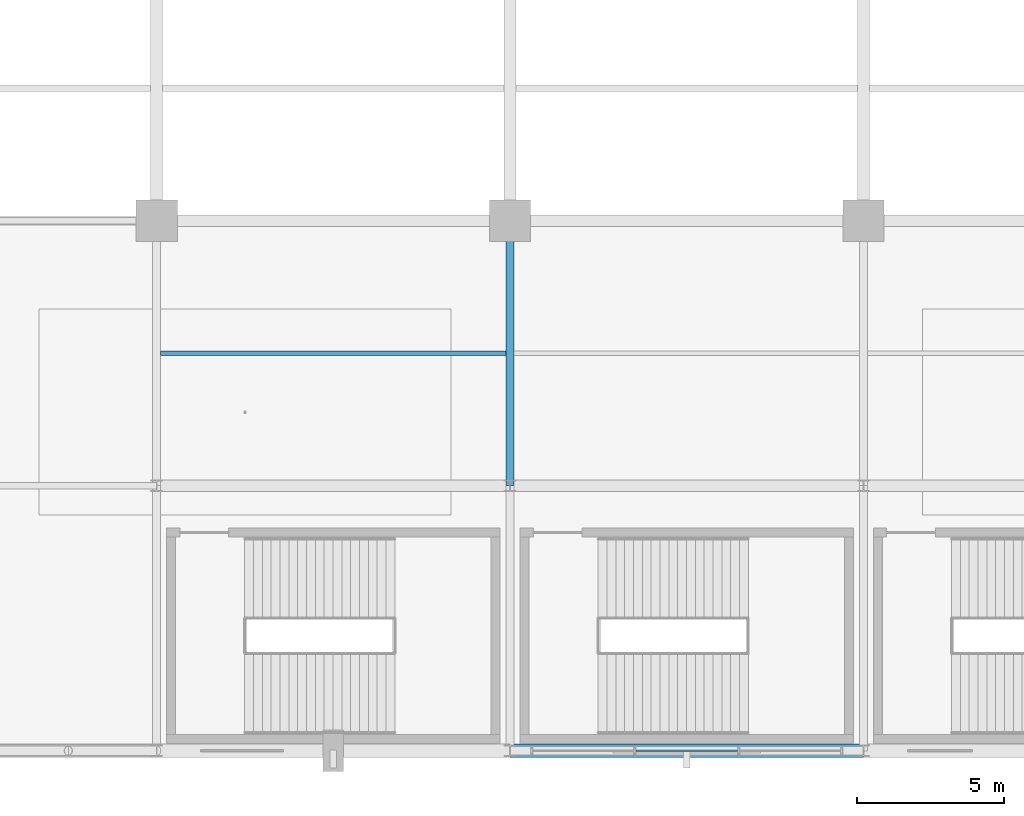
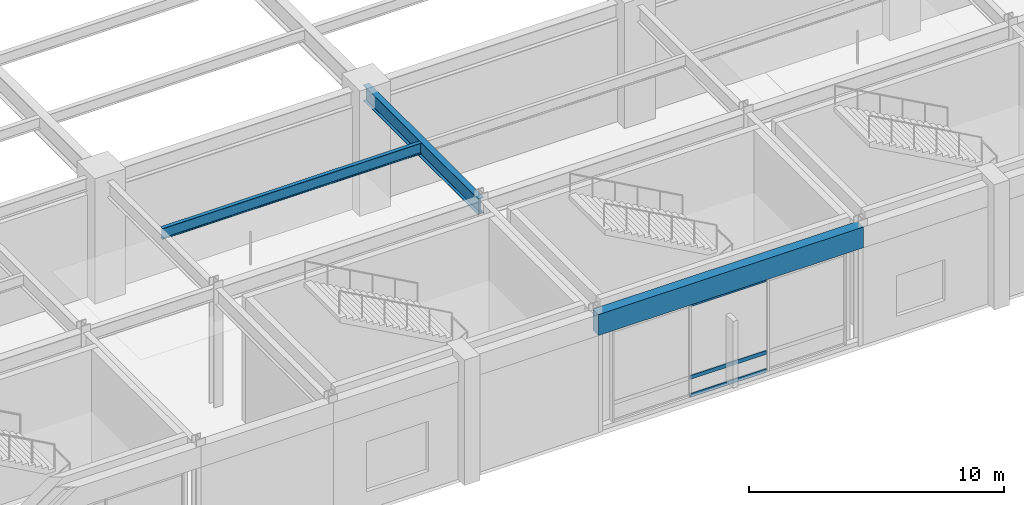
# One storey, part 19 of 105: 3 beams, 3 members, 1 element without a shape of its own.
"""IFC4 building model written with IfcOpenShell, lengths in metres."""

from ifc_helpers import new_model, si_unit, direction, frame, origin, origin_2d, place, context, subcontext, project, spatial, rectangle, hollow_rectangle, i_section, extrude, material, material_profile, profile_set, type_object, element, aggregate, save


model = new_model("IFC4")

# Units and contexts
model_context = context("Model", 3, precision=1e-05, world=origin(), true_north=direction((0.0, 1.0)))
body_context = subcontext(model_context, "Body", "Model", "MODEL_VIEW")
ifc_project = project(units=[si_unit("LENGTHUNIT", "METRE"), si_unit("AREAUNIT", "SQUARE_METRE"), si_unit("VOLUMEUNIT", "CUBIC_METRE"), si_unit("PLANEANGLEUNIT", "RADIAN"), si_unit("MASSUNIT", "GRAM", prefix="KILO")], contexts=[model_context])

# Site, building, storey
site_placement = place(None, origin())
site = spatial("IfcSite", under=ifc_project, at=site_placement, CompositionType="ELEMENT")
building_placement = place(site_placement, origin())
building = spatial("IfcBuilding", under=site, at=building_placement, Name="Kaldorvane Square Convention Centre", CompositionType="ELEMENT")
storey_placement = place(building_placement, frame((0.0, 0.0, 6.0)))
storey = spatial("IfcBuildingStorey", under=building, at=storey_placement, Name="L01", CompositionType="ELEMENT", Elevation=6.0)

# Beams
ifc_material_1 = material(Name="Steel ASTM A992 Gr. 50", Category="steel")
ifc_material_profile_1 = material_profile(ifc_material_1, i_section(OverallWidth=0.2666015625, OverallDepth=0.762298583984375, WebThickness=0.014404296875, FlangeThickness=0.0216064453125, FilletRadius=0.0164947509765625, at=origin_2d()), Name="W30X116")
ifc_profile_set_1 = profile_set([ifc_material_profile_1], Name="Steel ASTM A992 Gr. 50")
beam_type_1 = type_object("IfcBeamType", Name="BM-GR-W30X116", PredefinedType="BEAM", material=ifc_profile_set_1)
beam_1_placement = place(storey_placement, frame((42.0, 9.0, 5.2949066162109375), z_axis=(0.0, 1.0, 0.0), x_axis=(-1.0, 0.0, 0.0)))
element("IfcBeam", 1, at=beam_1_placement, inside=storey, type_object=beam_type_1, Name="Transverse Girder (L01)", PredefinedType="BEAM", context=body_context, shape_type="SweptSolid", body=[
    extrude(i_section(OverallWidth=0.2666015625, OverallDepth=0.762298583984375, WebThickness=0.014404296875, FlangeThickness=0.0216064453125, FilletRadius=0.0164947509765625, at=origin_2d()), origin(), (0.0, 0.0, 1.0), 9.0),
])
ifc_material_profile_2 = material_profile(ifc_material_1, i_section(OverallWidth=0.1658935546875, OverallDepth=0.5290985107421875, WebThickness=0.00970458984375, FlangeThickness=0.0135955810546875, FilletRadius=0.0126953125, at=origin_2d()), Name="W21X50")
ifc_profile_set_2 = profile_set([ifc_material_profile_2], Name="Steel ASTM A992 Gr. 50")
beam_type_2 = type_object("IfcBeamType", Name="BM-JS-W21X50", PredefinedType="JOIST", material=ifc_profile_set_2)
beam_2_placement = place(storey_placement, frame((30.13330078125, 13.5, 5.4114990234375), z_axis=(1.0, 0.0, 0.0), x_axis=(0.0, 1.0, 0.0)))
element("IfcBeam", 2, at=beam_2_placement, inside=storey, type_object=beam_type_2, Name="Secondary Floor Joist (L01)", PredefinedType="JOIST", context=body_context, shape_type="SweptSolid", body=[
    extrude(i_section(OverallWidth=0.1658935546875, OverallDepth=0.5290985107421875, WebThickness=0.00970458984375, FlangeThickness=0.0135955810546875, FilletRadius=0.0126953125, at=origin_2d()), origin(), (0.0, 0.0, 1.0), 11.7333984375),
])
ifc_material_2 = material(Name="Concrete f'c = 42 MPa (Normalweight)", Category="concrete")
ifc_material_profile_3 = material_profile(ifc_material_2, rectangle(XDim=0.4499969482421875, YDim=1.0, at=origin_2d()), Name="RCSP1000X450")
ifc_profile_set_3 = profile_set([ifc_material_profile_3], Name="Concrete f'c = 42 MPa (Normalweight)")
beam_type_3 = type_object("IfcBeamType", Name="BM-SP-RC1000", PredefinedType="SPANDREL", material=ifc_profile_set_3)
beam_3_placement = place(storey_placement, frame((42.0, 0.0, 5.175994873046875), z_axis=(1.0, 0.0, 0.0), x_axis=(0.0, 1.0, 0.0)))
element("IfcBeam", 3, at=beam_3_placement, inside=storey, type_object=beam_type_3, Name="Perimeter Spandrel (L01)", PredefinedType="SPANDREL", context=body_context, shape_type="SweptSolid", body=[
    extrude(rectangle(XDim=0.4499969482421875, YDim=1.0, at=origin_2d()), origin(), (0.0, 0.0, 1.0), 12.0),
])

# Curtain wall, members
ifc_material_3 = material(Name="Anodized Aluminum and Low-E Insulated Glazing", Category="aluminium")
curtain_wall_type = type_object("IfcCurtainWallType", Name="CW-UNI-P60-12", PredefinedType="USERDEFINED", material=ifc_material_3)
curtain_wall_placement = place(storey_placement, origin())
curtain_wall = element("IfcCurtainWall", 4, at=curtain_wall_placement, inside=storey, type_object=curtain_wall_type, Name="Curtain Wall CW-01 (L01)", ObjectType="UNITISED GLAZING", PredefinedType="USERDEFINED")
ifc_material_profile_4 = material_profile(ifc_material_3, hollow_rectangle(XDim=0.06500244140625, YDim=0.17999267578125, WallThickness=0.0034942626953125, at=origin_2d()), Name="CWT-180X65")
ifc_profile_set_4 = profile_set([ifc_material_profile_4], Name="Anodized Aluminum and Low-E Insulated Glazing")
member_type = type_object("IfcMemberType", Name="CW-TRN-180", PredefinedType="USERDEFINED", material=ifc_profile_set_4)
member_1_placement = place(storey_placement, frame((46.27082824707031, 0.0, 0.1824951171875), z_axis=(1.0, 0.0, 0.0), x_axis=(0.0, 1.0, 0.0)))
member_1 = element("IfcMember", 5, at=member_1_placement, type_object=member_type, Name="CW-01 transom 2.1", ObjectType="TRANSOM", PredefinedType="USERDEFINED", context=body_context, shape_type="SweptSolid", body=[
    extrude(hollow_rectangle(XDim=0.06500244140625, YDim=0.17999267578125, WallThickness=0.0034942626953125, at=origin_2d()), origin(), (0.0, 0.0, 1.0), 3.458343505859375),
])
member_2_placement = place(storey_placement, frame((46.27082824707031, 0.0, 1.0500030517578125), z_axis=(1.0, 0.0, 0.0), x_axis=(0.0, 1.0, 0.0)))
member_2 = element("IfcMember", 6, at=member_2_placement, type_object=member_type, Name="CW-01 transom 2.2", ObjectType="TRANSOM", PredefinedType="USERDEFINED", context=body_context, shape_type="SweptSolid", body=[
    extrude(hollow_rectangle(XDim=0.06500244140625, YDim=0.17999267578125, WallThickness=0.0034942626953125, at=origin_2d()), origin(), (0.0, 0.0, 1.0), 3.458343505859375),
])
member_3_placement = place(storey_placement, frame((46.27082824707031, 0.0, 4.527496337890625), z_axis=(1.0, 0.0, 0.0), x_axis=(0.0, 1.0, 0.0)))
member_3 = element("IfcMember", 7, at=member_3_placement, type_object=member_type, Name="CW-01 transom 2.3", ObjectType="TRANSOM", PredefinedType="USERDEFINED", context=body_context, shape_type="SweptSolid", body=[
    extrude(hollow_rectangle(XDim=0.06500244140625, YDim=0.17999267578125, WallThickness=0.0034942626953125, at=origin_2d()), origin(), (0.0, 0.0, 1.0), 3.458343505859375),
])
aggregate(curtain_wall, [member_1, member_2, member_3])

save(model, "model.ifc")
